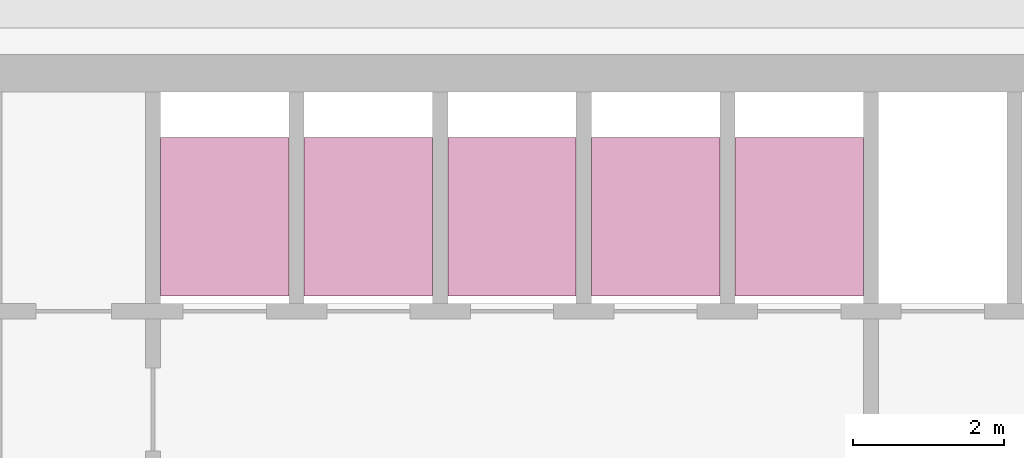
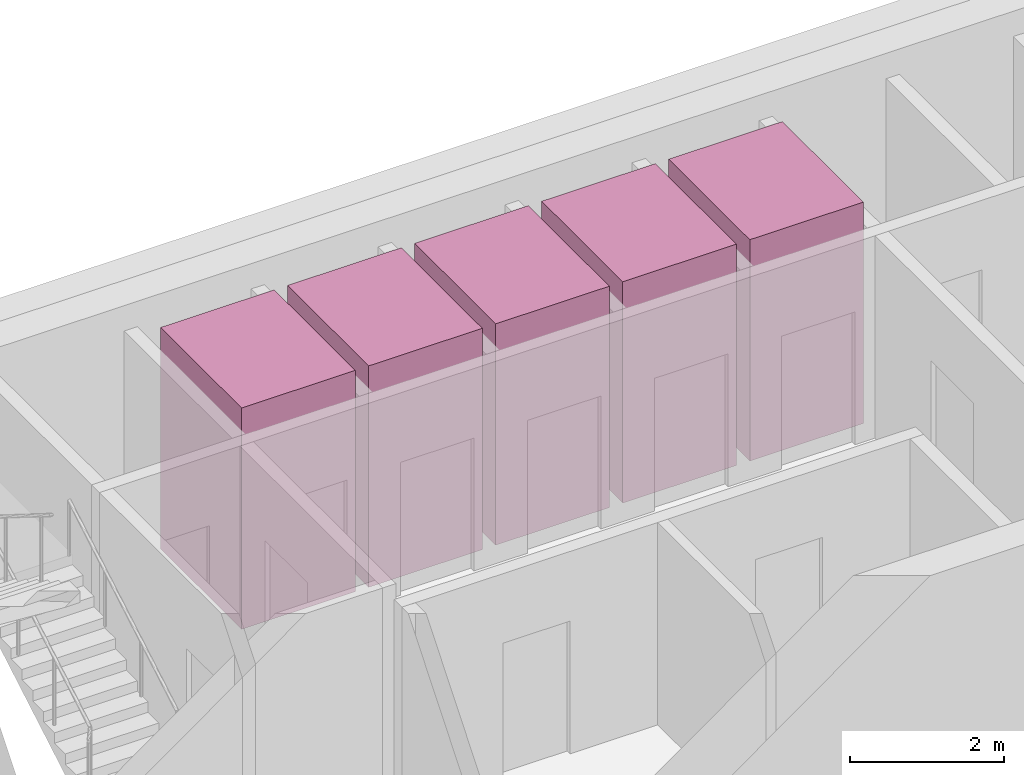
# One storey, part 9 of 9: 5 transport elements.
"""IFC4 building model written with IfcOpenShell, lengths in metres."""

from ifc_helpers import new_model, si_unit, direction, frame, origin, origin_2d, place, context, subcontext, project, spatial, rectangle, extrude, material, type_object, element, save


model = new_model("IFC4")

# Units and contexts
model_context = context("Model", 3, precision=1e-05, world=origin(), true_north=direction((0.0, 1.0)))
body_context = subcontext(model_context, "Body", "Model", "MODEL_VIEW")
ifc_project = project(units=[si_unit("LENGTHUNIT", "METRE"), si_unit("AREAUNIT", "SQUARE_METRE"), si_unit("VOLUMEUNIT", "CUBIC_METRE"), si_unit("PLANEANGLEUNIT", "RADIAN"), si_unit("MASSUNIT", "GRAM", prefix="KILO")], contexts=[model_context])

# Site, building, storey
site_placement = place(None, origin())
site = spatial("IfcSite", under=ifc_project, at=site_placement, CompositionType="ELEMENT")
building_placement = place(site_placement, origin())
building = spatial("IfcBuilding", under=site, at=building_placement, Name="Altiplano Prism Tower", CompositionType="ELEMENT")
storey_placement = place(building_placement, frame((0.0, 0.0, 350.800048828125)))
storey = spatial("IfcBuildingStorey", under=building, at=storey_placement, Name="L91", CompositionType="ELEMENT", Elevation=350.800048828125)

# Transport elements
ifc_material = material(Name="Stainless steel lift car", Category="steel")
transport_element_type = type_object("IfcTransportElementType", Name="Passenger lift car 1600 x 2100", PredefinedType="ELEVATOR", material=ifc_material)
for number, where, z_axis, x_axis, name in (
    (1, (79.050048828125, 101.75, 0.050048828125), (0.0, 0.0, 1.0), (1.0, 0.0, 0.0), "High Zone Passenger Lift 1"),
    (2, (80.949951171875, 101.75, 0.050048828125), (0.0, 0.0, 1.0), (1.0, 0.0, 0.0), "High Zone Passenger Lift 2"),
    (3, (82.85009765625, 101.75, 0.050048828125), (0.0, 0.0, 1.0), (1.0, 0.0, 0.0), "High Zone Passenger Lift 3"),
    (4, (84.75, 101.75, 0.050048828125), (0.0, 0.0, 1.0), (1.0, 0.0, 0.0), "High Zone Passenger Lift 4"),
    (5, (86.64990234375, 101.75, 0.050048828125), (0.0, 0.0, 1.0), (1.0, 0.0, 0.0), "High Zone Passenger Lift 5"),
):
    element("IfcTransportElement", number, at=place(storey_placement, frame(where, z_axis=z_axis, x_axis=x_axis)), inside=storey, type_object=transport_element_type, Name=name, PredefinedType="ELEVATOR", context=body_context, shape_type="SweptSolid", body=[
        extrude(rectangle(XDim=1.699951171875, YDim=2.10009765625, at=origin_2d()), origin(), (0.0, 0.0, 1.0), 3.5),
    ])

save(model, "model.ifc")
